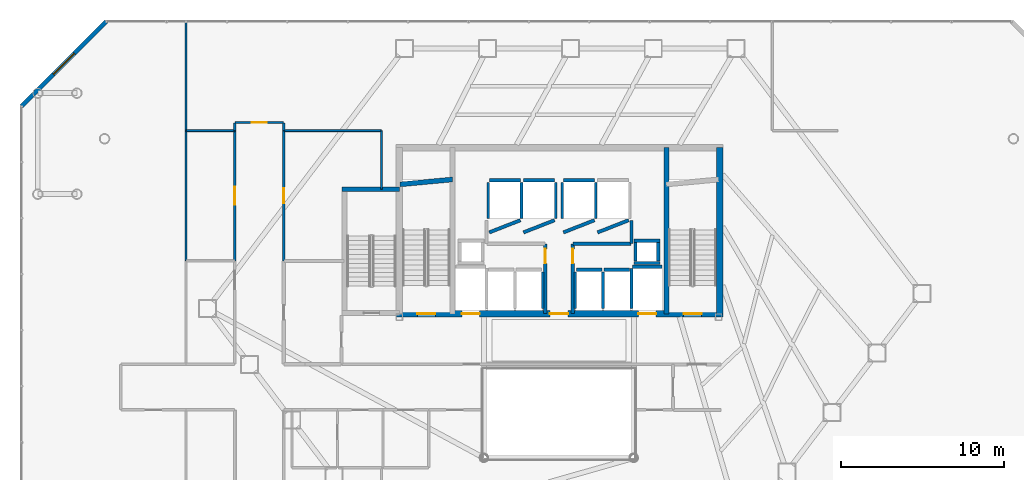
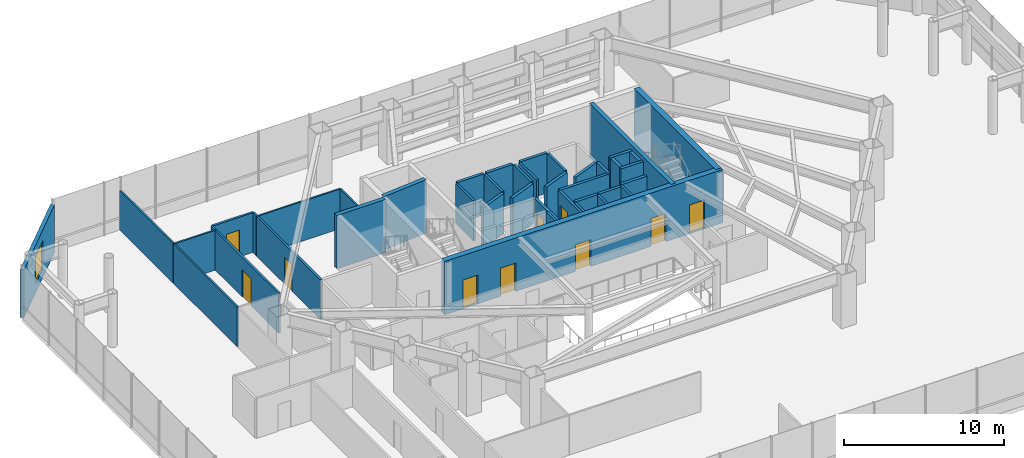
# One storey, part 31 of 33: 43 walls, 10 doors, 1 window, 11 openings.
"""IFC4 building model written with IfcOpenShell, lengths in metres."""

from ifc_helpers import new_model, si_unit, direction, frame, frame_2d, origin, place, context, subcontext, project, spatial, rectangle, extrude, material, layer, layer_set, type_object, element, fill, save


model = new_model("IFC4")

# Units and contexts
model_context = context("Model", 3, precision=1e-05, world=origin(), true_north=direction((0.0, 1.0)))
body_context = subcontext(model_context, "Body", "Model", "MODEL_VIEW")
ifc_project = project(units=[si_unit("LENGTHUNIT", "METRE"), si_unit("AREAUNIT", "SQUARE_METRE"), si_unit("VOLUMEUNIT", "CUBIC_METRE"), si_unit("PLANEANGLEUNIT", "RADIAN"), si_unit("MASSUNIT", "GRAM", prefix="KILO")], contexts=[model_context])

# Site, building, storey
site_placement = place(None, origin())
site = spatial("IfcSite", under=ifc_project, at=site_placement, CompositionType="ELEMENT")
building_placement = place(site_placement, origin())
building = spatial("IfcBuilding", under=site, at=building_placement, Name="Zarrinselat Tower", CompositionType="ELEMENT")
storey_placement = place(building_placement, frame((0.0, 0.0, 18.360107421875)))
storey = spatial("IfcBuildingStorey", under=building, at=storey_placement, Name="L04", CompositionType="ELEMENT", Elevation=18.360107421875)

# Wall, opening, window
ifc_material_1 = material(Name="Honed Cream Travertine Stone", Category="masonry")
ifc_layer_1 = layer(ifc_material_1, 0.260009765625)
ifc_layer_set_1 = layer_set([ifc_layer_1], Name="Honed Cream Travertine Stone")
wall_type_1 = type_object("IfcWallType", Name="WAL-EXT-STONE-260", PredefinedType="STANDARD", material=ifc_layer_set_1)
wall_1_placement = place(storey_placement, frame((5.39990234375, 46.0, 0.0), z_axis=(0.0, 0.0, 1.0), x_axis=(0.707123380132, 0.707090181851, 0.0)))
wall_1 = element("IfcWall", 1, at=wall_1_placement, inside=storey, type_object=wall_type_1, Name="L04 Chamfered Stone Corner Wall 5", PredefinedType="STANDARD", context=body_context, shape_type="SweptSolid", body=[
    extrude(rectangle(XDim=7.35400390625, YDim=0.260009765625, at=frame_2d((3.677001953125, 0.0))), origin(), (0.0, 0.0, 1.0), 3.64990234375),
])
opening_1_placement = place(wall_1_placement, frame((2.777099609375, 0.0, 0.699951171875)))
opening_1 = element("IfcOpeningElement", 2, at=opening_1_placement, cuts=wall_1, Name="Opening WN-2", PredefinedType="OPENING", context=body_context, shape_type="SweptSolid", body=[
    extrude(rectangle(XDim=1.800048828125, YDim=2.10009765625, at=frame_2d((0.89990234375, 1.050048828125))), frame((0.0, 0.139892578125, 0.0), z_axis=(0.0, -1.0, 0.0), x_axis=(1.0, 0.0, 0.0)), (0.0, 0.0, 1.0), 0.280029296875),
])
ifc_material_2 = material(Name="Double Low-E Laminated Solar Glass", Category="glass")
window_type = type_object("IfcWindowType", Name="WIN-GALLERY-1800", PartitioningType="SINGLE_PANEL", PredefinedType="WINDOW", material=ifc_material_2)
window_placement = place(opening_1_placement, origin())
window = element("IfcWindow", 3, at=window_placement, inside=storey, type_object=window_type, Name="L04 Corner Gallery Window 5", OverallHeight=2.10009765625, OverallWidth=1.800048828125, PartitioningType="SINGLE_PANEL", PredefinedType="WINDOW", context=body_context, shape_type="SweptSolid", body=[
    extrude(rectangle(XDim=1.800048828125, YDim=2.10009765625, at=frame_2d((0.89990234375, 1.050048828125))), frame((0.0, 0.030029296875, 0.0), z_axis=(0.0, -1.0, 0.0), x_axis=(1.0, 0.0, 0.0)), (0.0, 0.0, 1.0), 0.06005859375),
])
fill(opening_1, window)

# Wall, opening, door
ifc_material_3 = material(Name="Fire-Rated Gypsum Board Partition", Category="gypsum")
ifc_layer_2 = layer(ifc_material_3, 0.14990234375)
ifc_layer_set_2 = layer_set([ifc_layer_2], Name="Fire-Rated Gypsum Board Partition")
wall_type_2 = type_object("IfcWallType", Name="WAL-PART-EI60", PredefinedType="PARTITIONING", material=ifc_layer_set_2)
wall_2_placement = place(storey_placement, frame((18.5, 36.5048828125, 0.0), z_axis=(0.0, 0.0, 1.0), x_axis=(0.0, 1.0, 0.0)))
wall_2 = element("IfcWall", 4, at=wall_2_placement, inside=storey, type_object=wall_type_2, Name="L04 Partition Wall 33", PredefinedType="PARTITIONING", context=body_context, shape_type="SweptSolid", body=[
    extrude(rectangle(XDim=7.990234375, YDim=0.14990234375, at=frame_2d((3.9951171875, 0.0))), origin(), (0.0, 0.0, 1.0), 3.02685546875),
])
opening_2_placement = place(wall_2_placement, frame((3.43505859375, 0.0, 0.0)))
opening_2 = element("IfcOpeningElement", 5, at=opening_2_placement, cuts=wall_2, Name="Opening ID-02", PredefinedType="OPENING", context=body_context, shape_type="SweptSolid", body=[
    extrude(rectangle(XDim=1.1201171875, YDim=2.050048828125, at=frame_2d((0.56005859375, 1.02490234375))), frame((0.0, 0.0849609375, 0.0), z_axis=(0.0, -1.0, 0.0), x_axis=(1.0, 0.0, 0.0)), (0.0, 0.0, 1.0), 0.169921875),
])
ifc_material_4 = material(Name="Steel S355J2", Category="steel")
door_type_1 = type_object("IfcDoorType", Name="DR-INT-FD60-W", OperationType="NOTDEFINED", PredefinedType="DOOR", material=ifc_material_4)
door_1_placement = place(opening_2_placement, origin())
door_1 = element("IfcDoor", 6, at=door_1_placement, inside=storey, type_object=door_type_1, Name="L04 Interior Door P33", OperationType="SINGLE_SWING_RIGHT", OverallHeight=2.050048828125, OverallWidth=1.1201171875, PredefinedType="DOOR", context=body_context, shape_type="SweptSolid", body=[
    extrude(rectangle(XDim=1.1201171875, YDim=2.050048828125, at=frame_2d((0.56005859375, 1.02490234375))), frame((0.0, 0.02490234375, 0.0), z_axis=(0.0, -1.0, 0.0), x_axis=(1.0, 0.0, 0.0)), (0.0, 0.0, 1.0), 0.050048828125),
])
fill(opening_2, door_1)

wall_3_placement = place(storey_placement, frame((21.5, 36.5048828125, 0.0), z_axis=(0.0, 0.0, 1.0), x_axis=(0.0, 1.0, 0.0)))
wall_3 = element("IfcWall", 7, at=wall_3_placement, inside=storey, type_object=wall_type_2, Name="L04 Partition Wall 34", PredefinedType="PARTITIONING", context=body_context, shape_type="SweptSolid", body=[
    extrude(rectangle(XDim=7.990234375, YDim=0.14990234375, at=frame_2d((3.9951171875, 0.0))), origin(), (0.0, 0.0, 1.0), 3.02685546875),
])
opening_3_placement = place(wall_3_placement, frame((3.52490234375, 0.0, 0.0)))
opening_3 = element("IfcOpeningElement", 8, at=opening_3_placement, cuts=wall_3, Name="Opening ID-04", PredefinedType="OPENING", context=body_context, shape_type="SweptSolid", body=[
    extrude(rectangle(XDim=0.93994140625, YDim=2.050048828125, at=frame_2d((0.469970703125, 1.02490234375))), frame((0.0, 0.0849609375, 0.0), z_axis=(0.0, -1.0, 0.0), x_axis=(1.0, 0.0, 0.0)), (0.0, 0.0, 1.0), 0.169921875),
])
ifc_material_5 = material(Name="Fire-Rated Gypsum Board Partition")
door_type_2 = type_object("IfcDoorType", Name="DR-INT-FD30-ENT", OperationType="NOTDEFINED", PredefinedType="DOOR", material=ifc_material_5)
door_2_placement = place(opening_3_placement, origin())
door_2 = element("IfcDoor", 9, at=door_2_placement, inside=storey, type_object=door_type_2, Name="L04 Interior Door P34", OperationType="SINGLE_SWING_LEFT", OverallHeight=2.050048828125, OverallWidth=0.93994140625, PredefinedType="DOOR", context=body_context, shape_type="SweptSolid", body=[
    extrude(rectangle(XDim=0.93994140625, YDim=2.050048828125, at=frame_2d((0.469970703125, 1.02490234375))), frame((0.0, 0.02490234375, 0.0), z_axis=(0.0, -1.0, 0.0), x_axis=(1.0, 0.0, 0.0)), (0.0, 0.0, 1.0), 0.050048828125),
])
fill(opening_3, door_2)

# Wall
wall_4_placement = place(storey_placement, frame((18.5, 44.5048828125, 0.0), z_axis=(0.0, 0.0, 1.0), x_axis=(0.0, 1.0, 0.0)))
element("IfcWall", 10, at=wall_4_placement, inside=storey, type_object=wall_type_2, Name="L04 Partition Wall 35", PredefinedType="PARTITIONING", context=body_context, shape_type="SweptSolid", body=[
    extrude(rectangle(XDim=0.47509765625, YDim=0.14990234375, at=frame_2d((0.237548828125, 0.0))), origin(), (0.0, 0.0, 1.0), 3.02685546875),
])

# Wall, opening, door
wall_5_placement = place(storey_placement, frame((18.52001953125, 45.0, 0.0), z_axis=(0.0, 0.0, 1.0), x_axis=(1.0, 0.0, 0.0)))
wall_5 = element("IfcWall", 11, at=wall_5_placement, inside=storey, type_object=wall_type_2, Name="L04 Partition Wall 36", PredefinedType="PARTITIONING", context=body_context, shape_type="SweptSolid", body=[
    extrude(rectangle(XDim=2.9599609375, YDim=0.14990234375, at=frame_2d((1.47998046875, 0.0))), origin(), (0.0, 0.0, 1.0), 3.02685546875),
])
opening_4_placement = place(wall_5_placement, frame((1.010009765625, 0.0, 0.0)))
opening_4 = element("IfcOpeningElement", 12, at=opening_4_placement, cuts=wall_5, Name="Opening ID-04", PredefinedType="OPENING", context=body_context, shape_type="SweptSolid", body=[
    extrude(rectangle(XDim=0.93994140625, YDim=2.050048828125, at=frame_2d((0.469970703125, 1.02490234375))), frame((0.0, 0.0849609375, 0.0), z_axis=(0.0, -1.0, 0.0), x_axis=(1.0, 0.0, 0.0)), (0.0, 0.0, 1.0), 0.169921875),
])
door_3_placement = place(opening_4_placement, origin())
door_3 = element("IfcDoor", 13, at=door_3_placement, inside=storey, type_object=door_type_2, Name="L04 Interior Door P36", OperationType="SINGLE_SWING_RIGHT", OverallHeight=2.050048828125, OverallWidth=0.93994140625, PredefinedType="DOOR", context=body_context, shape_type="SweptSolid", body=[
    extrude(rectangle(XDim=0.93994140625, YDim=2.050048828125, at=frame_2d((0.469970703125, 1.02490234375))), frame((0.0, 0.02490234375, 0.0), z_axis=(0.0, -1.0, 0.0), x_axis=(1.0, 0.0, 0.0)), (0.0, 0.0, 1.0), 0.050048828125),
])
fill(opening_4, door_3)

# Walls
wall_6_placement = place(storey_placement, frame((21.5, 44.5048828125, 0.0), z_axis=(0.0, 0.0, 1.0), x_axis=(0.0, 1.0, 0.0)))
element("IfcWall", 14, at=wall_6_placement, inside=storey, type_object=wall_type_2, Name="L04 Partition Wall 37", PredefinedType="PARTITIONING", context=body_context, shape_type="SweptSolid", body=[
    extrude(rectangle(XDim=0.47509765625, YDim=0.14990234375, at=frame_2d((0.237548828125, 0.0))), origin(), (0.0, 0.0, 1.0), 3.02685546875),
])
ifc_material_6 = material(Name="Extruded Aluminium Alloy EN AW-6063 T6", Category="aluminium")
ifc_layer_3 = layer(ifc_material_6, 0.114990234375)
ifc_layer_set_3 = layer_set([ifc_layer_3], Name="Extruded Aluminium Alloy EN AW-6063 T6")
wall_type_3 = type_object("IfcWallType", Name="WAL-PART-MOV", PredefinedType="MOVABLE", material=ifc_layer_set_3)
wall_7_placement = place(storey_placement, frame((21.52001953125, 44.5, 0.0), z_axis=(0.0, 0.0, 1.0), x_axis=(1.0, 0.0, 0.0)))
element("IfcWall", 15, at=wall_7_placement, inside=storey, type_object=wall_type_3, Name="L04 Partition Wall 60", PredefinedType="MOVABLE", context=body_context, shape_type="SweptSolid", body=[
    extrude(rectangle(XDim=5.9599609375, YDim=0.114990234375, at=frame_2d((2.97998046875, 0.0))), origin(), (0.0, 0.0, 1.0), 3.02685546875),
])
wall_8_placement = place(storey_placement, frame((27.5, 40.9150390625, 0.0), z_axis=(0.0, 0.0, 1.0), x_axis=(0.0, 1.0, 0.0)))
element("IfcWall", 16, at=wall_8_placement, inside=storey, type_object=wall_type_3, Name="L04 Partition Wall 61", PredefinedType="MOVABLE", context=body_context, shape_type="SweptSolid", body=[
    extrude(rectangle(XDim=3.56494140625, YDim=0.114990234375, at=frame_2d((1.782470703125, 0.0))), origin(), (0.0, 0.0, 1.0), 3.02685546875),
])

# Wall, opening, door
ifc_material_7 = material(Name="Concrete C40/50", Category="concrete")
ifc_layer_4 = layer(ifc_material_7, 0.199951171875)
ifc_layer_set_4 = layer_set([ifc_layer_4], Name="Concrete C40/50")
wall_type_4 = type_object("IfcWallType", Name="WAL-PART-PLANT", PredefinedType="PARTITIONING", material=ifc_layer_set_4)
wall_9_placement = place(storey_placement, frame((37.550048828125, 33.264892578125, 0.0), z_axis=(0.0, 0.0, 1.0), x_axis=(0.0, 1.0, 0.0)))
wall_9 = element("IfcWall", 17, at=wall_9_placement, inside=storey, type_object=wall_type_4, Name="L04 Partition Wall 1", PredefinedType="PARTITIONING", context=body_context, shape_type="SweptSolid", body=[
    extrude(rectangle(XDim=4.26513671875, YDim=0.199951171875, at=frame_2d((2.132568359375, 0.0))), origin(), (0.0, 0.0, 1.0), 3.02685546875),
])
opening_5_placement = place(wall_9_placement, frame((3.092529296875, 0.0, 0.0)))
opening_5 = element("IfcOpeningElement", 18, at=opening_5_placement, cuts=wall_9, Name="Opening ID-03", PredefinedType="OPENING", context=body_context, shape_type="SweptSolid", body=[
    extrude(rectangle(XDim=0.8798828125, YDim=2.050048828125, at=frame_2d((0.43994140625, 1.02490234375))), frame((0.0, 0.10986328125, 0.0), z_axis=(0.0, -1.0, 0.0), x_axis=(1.0, 0.0, 0.0)), (0.0, 0.0, 1.0), 0.219970703125),
])
ifc_material_8 = material(Name="Steel S355J2", Category="steel")
door_type_3 = type_object("IfcDoorType", Name="DR-INT-FD60-S", OperationType="NOTDEFINED", PredefinedType="DOOR", material=ifc_material_8)
door_4_placement = place(opening_5_placement, origin())
door_4 = element("IfcDoor", 19, at=door_4_placement, inside=storey, type_object=door_type_3, Name="L04 Interior Door P1", OperationType="SINGLE_SWING_RIGHT", OverallHeight=2.050048828125, OverallWidth=0.8798828125, PredefinedType="DOOR", context=body_context, shape_type="SweptSolid", body=[
    extrude(rectangle(XDim=0.8798828125, YDim=2.050048828125, at=frame_2d((0.43994140625, 1.02490234375))), frame((0.0, 0.02490234375, 0.0), z_axis=(0.0, -1.0, 0.0), x_axis=(1.0, 0.0, 0.0)), (0.0, 0.0, 1.0), 0.050048828125),
])
fill(opening_5, door_4)

# Walls
wall_10_placement = place(storey_placement, frame((42.85009765625, 37.570068359375, 0.0), z_axis=(0.0, 0.0, 1.0), x_axis=(0.0, 1.0, 0.0)))
element("IfcWall", 20, at=wall_10_placement, inside=storey, type_object=wall_type_4, Name="L04 Partition Wall 4", PredefinedType="PARTITIONING", context=body_context, shape_type="SweptSolid", body=[
    extrude(rectangle(XDim=1.4150390625, YDim=0.199951171875, at=frame_2d((0.70751953125, 0.0))), origin(), (0.0, 0.0, 1.0), 3.02685546875),
])
wall_11_placement = place(storey_placement, frame((39.27001953125, 37.550048828125, 0.0), z_axis=(0.0, 0.0, 1.0), x_axis=(1.0, 0.0, 0.0)))
element("IfcWall", 21, at=wall_11_placement, inside=storey, type_object=wall_type_4, Name="L04 Partition Wall 5", PredefinedType="PARTITIONING", context=body_context, shape_type="SweptSolid", body=[
    extrude(rectangle(XDim=3.56005859375, YDim=0.199951171875, at=frame_2d((1.780029296875, 0.0))), origin(), (0.0, 0.0, 1.0), 3.02685546875),
])

# Wall, opening, door
wall_12_placement = place(storey_placement, frame((39.25, 33.264892578125, 0.0), z_axis=(0.0, 0.0, 1.0), x_axis=(0.0, 1.0, 0.0)))
wall_12 = element("IfcWall", 22, at=wall_12_placement, inside=storey, type_object=wall_type_4, Name="L04 Partition Wall 6", PredefinedType="PARTITIONING", context=body_context, shape_type="SweptSolid", body=[
    extrude(rectangle(XDim=4.26513671875, YDim=0.199951171875, at=frame_2d((2.132568359375, 0.0))), origin(), (0.0, 0.0, 1.0), 3.02685546875),
])
opening_6_placement = place(wall_12_placement, frame((3.092529296875, 0.0, 0.0)))
opening_6 = element("IfcOpeningElement", 23, at=opening_6_placement, cuts=wall_12, Name="Opening ID-03", PredefinedType="OPENING", context=body_context, shape_type="SweptSolid", body=[
    extrude(rectangle(XDim=0.8798828125, YDim=2.050048828125, at=frame_2d((0.43994140625, 1.02490234375))), frame((0.0, 0.10986328125, 0.0), z_axis=(0.0, -1.0, 0.0), x_axis=(1.0, 0.0, 0.0)), (0.0, 0.0, 1.0), 0.219970703125),
])
door_5_placement = place(opening_6_placement, origin())
door_5 = element("IfcDoor", 24, at=door_5_placement, inside=storey, type_object=door_type_3, Name="L04 Interior Door P6", OperationType="SINGLE_SWING_LEFT", OverallHeight=2.050048828125, OverallWidth=0.8798828125, PredefinedType="DOOR", context=body_context, shape_type="SweptSolid", body=[
    extrude(rectangle(XDim=0.8798828125, YDim=2.050048828125, at=frame_2d((0.43994140625, 1.02490234375))), frame((0.0, 0.02490234375, 0.0), z_axis=(0.0, -1.0, 0.0), x_axis=(1.0, 0.0, 0.0)), (0.0, 0.0, 1.0), 0.050048828125),
])
fill(opening_6, door_5)

# Walls
ifc_material_9 = material(Name="Fire-Rated Gypsum Board Partition", Category="gypsum")
ifc_layer_5 = layer(ifc_material_9, 0.1201171875)
ifc_layer_set_5 = layer_set([ifc_layer_5], Name="Fire-Rated Gypsum Board Partition")
wall_type_5 = type_object("IfcWallType", Name="WAL-PART-STD", PredefinedType="PARTITIONING", material=ifc_layer_set_5)
wall_13_placement = place(storey_placement, frame((15.5, 36.52001953125, 0.0), z_axis=(0.0, 0.0, 1.0), x_axis=(0.0, 1.0, 0.0)))
element("IfcWall", 25, at=wall_13_placement, inside=storey, type_object=wall_type_5, Name="L04 Partition Wall 55", PredefinedType="PARTITIONING", context=body_context, shape_type="SweptSolid", body=[
    extrude(rectangle(XDim=7.9599609375, YDim=0.1201171875, at=frame_2d((3.97998046875, 0.0))), origin(), (0.0, 0.0, 1.0), 3.02685546875),
])
wall_14_placement = place(storey_placement, frame((15.5, 44.52001953125, 0.0), z_axis=(0.0, 0.0, 1.0), x_axis=(0.0, 1.0, 0.0)))
element("IfcWall", 26, at=wall_14_placement, inside=storey, type_object=wall_type_5, Name="L04 Partition Wall 56", PredefinedType="PARTITIONING", context=body_context, shape_type="SweptSolid", body=[
    extrude(rectangle(XDim=6.6650390625, YDim=0.1201171875, at=frame_2d((3.33251953125, 0.0))), origin(), (0.0, 0.0, 1.0), 3.02685546875),
])
wall_15_placement = place(storey_placement, frame((15.52001953125, 44.5, 0.0), z_axis=(0.0, 0.0, 1.0), x_axis=(1.0, 0.0, 0.0)))
element("IfcWall", 27, at=wall_15_placement, inside=storey, type_object=wall_type_5, Name="L04 Partition Wall 59", PredefinedType="PARTITIONING", context=body_context, shape_type="SweptSolid", body=[
    extrude(rectangle(XDim=2.9599609375, YDim=0.1201171875, at=frame_2d((1.47998046875, 0.0))), origin(), (0.0, 0.0, 1.0), 3.02685546875),
])
ifc_material_10 = material(Name="Concrete C40/50", Category="concrete")
ifc_layer_6 = layer(ifc_material_10, 0.2099609375)
ifc_layer_set_6 = layer_set([ifc_layer_6], Name="Concrete C40/50")
wall_type_6 = type_object("IfcWallType", Name="WAL-SHAFT-210", PredefinedType="SOLIDWALL", material=ifc_layer_set_6)
wall_16_placement = place(storey_placement, frame((42.919921875, 36.155029296875, 0.0), z_axis=(0.0, 0.0, 1.0), x_axis=(1.0, 0.0, 0.0)))
element("IfcWall", 28, at=wall_16_placement, inside=storey, type_object=wall_type_6, Name="L04 Lift FFL2 North Shaft Wall", PredefinedType="SOLIDWALL", context=body_context, shape_type="SweptSolid", body=[
    extrude(rectangle(XDim=1.800048828125, YDim=0.2099609375, at=frame_2d((0.89990234375, 0.0))), origin(), (0.0, 0.0, 1.0), 3.0419921875),
])
wall_17_placement = place(storey_placement, frame((42.85009765625, 33.580078125, 0.0), z_axis=(0.0, 0.0, 1.0), x_axis=(0.0, 1.0, 0.0)))
element("IfcWall", 29, at=wall_17_placement, inside=storey, type_object=wall_type_6, Name="L04 Lift FFL2 W Shaft Wall", PredefinedType="SOLIDWALL", context=body_context, shape_type="SweptSolid", body=[
    extrude(rectangle(XDim=2.449951171875, YDim=0.159912109375, at=frame_2d((1.22509765625, 0.0))), origin(), (0.0, 0.0, 1.0), 3.0419921875),
])
wall_18_placement = place(storey_placement, frame((34.1201171875, 38.25, 0.0), z_axis=(0.0, 0.0, 1.0), x_axis=(0.930804993012, 0.36551616241, 0.0)))
element("IfcWall", 30, at=wall_18_placement, inside=storey, type_object=wall_type_6, Name="L04 Lift PL1 Front Shaft Wall", PredefinedType="SOLIDWALL", context=body_context, shape_type="SweptSolid", body=[
    extrude(rectangle(XDim=2.052001953125, YDim=0.2099609375, at=frame_2d((1.02587890625, 0.0))), origin(), (0.0, 0.0, 1.0), 3.0419921875),
])
wall_19_placement = place(storey_placement, frame((34.1201171875, 41.455078125, 0.0), z_axis=(0.0, 0.0, 1.0), x_axis=(1.0, 0.0, 0.0)))
element("IfcWall", 31, at=wall_19_placement, inside=storey, type_object=wall_type_6, Name="L04 Lift PL1 Rear Shaft Wall", PredefinedType="SOLIDWALL", context=body_context, shape_type="SweptSolid", body=[
    extrude(rectangle(XDim=1.909912109375, YDim=0.2099609375, at=frame_2d((0.955078125, 0.0))), origin(), (0.0, 0.0, 1.0), 3.0419921875),
])
for number, where, z_axis, x_axis, name in (
    (32, (34.050048828125, 39.1201171875, 0.0), (0.0, 0.0, 1.0), (0.0, 1.0, 0.0), "L04 Lift PL1 W Shaft Wall"),
    (33, (36.10009765625, 39.1201171875, 0.0), (0.0, 0.0, 1.0), (0.0, 1.0, 0.0), "L04 Lift PL1 E Shaft Wall"),
):
    element("IfcWall", number, at=place(storey_placement, frame(where, z_axis=z_axis, x_axis=x_axis)), inside=storey, type_object=wall_type_6, Name=name, PredefinedType="SOLIDWALL", context=body_context, shape_type="SweptSolid", body=[
        extrude(rectangle(XDim=2.2099609375, YDim=0.159912109375, at=frame_2d((1.10498046875, 0.0))), origin(), (0.0, 0.0, 1.0), 3.0419921875),
    ])
wall_20_placement = place(storey_placement, frame((36.219970703125, 38.25, 0.0), z_axis=(0.0, 0.0, 1.0), x_axis=(0.930804993012, 0.36551616241, 0.0)))
element("IfcWall", 34, at=wall_20_placement, inside=storey, type_object=wall_type_6, Name="L04 Lift PL2 Front Shaft Wall", PredefinedType="SOLIDWALL", context=body_context, shape_type="SweptSolid", body=[
    extrude(rectangle(XDim=2.052001953125, YDim=0.2099609375, at=frame_2d((1.02587890625, 0.0))), origin(), (0.0, 0.0, 1.0), 3.0419921875),
])
wall_21_placement = place(storey_placement, frame((36.219970703125, 41.455078125, 0.0), z_axis=(0.0, 0.0, 1.0), x_axis=(1.0, 0.0, 0.0)))
element("IfcWall", 35, at=wall_21_placement, inside=storey, type_object=wall_type_6, Name="L04 Lift PL2 Rear Shaft Wall", PredefinedType="SOLIDWALL", context=body_context, shape_type="SweptSolid", body=[
    extrude(rectangle(XDim=1.909912109375, YDim=0.2099609375, at=frame_2d((0.955078125, 0.0))), origin(), (0.0, 0.0, 1.0), 3.0419921875),
])
wall_22_placement = place(storey_placement, frame((38.199951171875, 39.1201171875, 0.0), z_axis=(0.0, 0.0, 1.0), x_axis=(0.0, 1.0, 0.0)))
element("IfcWall", 36, at=wall_22_placement, inside=storey, type_object=wall_type_6, Name="L04 Lift PL2 E Shaft Wall", PredefinedType="SOLIDWALL", context=body_context, shape_type="SweptSolid", body=[
    extrude(rectangle(XDim=2.2099609375, YDim=0.159912109375, at=frame_2d((1.10498046875, 0.0))), origin(), (0.0, 0.0, 1.0), 3.0419921875),
])
wall_23_placement = place(storey_placement, frame((38.669921875, 38.25, 0.0), z_axis=(0.0, 0.0, 1.0), x_axis=(0.930820886763, 0.3654756856, 0.0)))
element("IfcWall", 37, at=wall_23_placement, inside=storey, type_object=wall_type_6, Name="L04 Lift PL3 Front Shaft Wall", PredefinedType="SOLIDWALL", context=body_context, shape_type="SweptSolid", body=[
    extrude(rectangle(XDim=2.052001953125, YDim=0.2099609375, at=frame_2d((1.02587890625, 0.0))), origin(), (0.0, 0.0, 1.0), 3.0419921875),
])
wall_24_placement = place(storey_placement, frame((38.669921875, 41.455078125, 0.0), z_axis=(0.0, 0.0, 1.0), x_axis=(1.0, 0.0, 0.0)))
element("IfcWall", 38, at=wall_24_placement, inside=storey, type_object=wall_type_6, Name="L04 Lift PL3 Rear Shaft Wall", PredefinedType="SOLIDWALL", context=body_context, shape_type="SweptSolid", body=[
    extrude(rectangle(XDim=1.91015625, YDim=0.2099609375, at=frame_2d((0.955078125, 0.0))), origin(), (0.0, 0.0, 1.0), 3.0419921875),
])
for number, where, z_axis, x_axis, name in (
    (39, (38.60009765625, 39.1201171875, 0.0), (0.0, 0.0, 1.0), (0.0, 1.0, 0.0), "L04 Lift PL3 W Shaft Wall"),
    (40, (40.64990234375, 39.1201171875, 0.0), (0.0, 0.0, 1.0), (0.0, 1.0, 0.0), "L04 Lift PL3 E Shaft Wall"),
):
    element("IfcWall", number, at=place(storey_placement, frame(where, z_axis=z_axis, x_axis=x_axis)), inside=storey, type_object=wall_type_6, Name=name, PredefinedType="SOLIDWALL", context=body_context, shape_type="SweptSolid", body=[
        extrude(rectangle(XDim=2.2099609375, YDim=0.159912109375, at=frame_2d((1.10498046875, 0.0))), origin(), (0.0, 0.0, 1.0), 3.0419921875),
    ])
wall_25_placement = place(storey_placement, frame((40.77001953125, 38.25, 0.0), z_axis=(0.0, 0.0, 1.0), x_axis=(0.930804993012, 0.36551616241, 0.0)))
element("IfcWall", 41, at=wall_25_placement, inside=storey, type_object=wall_type_6, Name="L04 Lift PL4 Front Shaft Wall", PredefinedType="SOLIDWALL", context=body_context, shape_type="SweptSolid", body=[
    extrude(rectangle(XDim=2.052001953125, YDim=0.2099609375, at=frame_2d((1.02587890625, 0.0))), origin(), (0.0, 0.0, 1.0), 3.0419921875),
])
wall_26_placement = place(storey_placement, frame((37.39990234375, 33.580078125, 0.0), z_axis=(0.0, 0.0, 1.0), x_axis=(0.0, 1.0, 0.0)))
element("IfcWall", 42, at=wall_26_placement, inside=storey, type_object=wall_type_6, Name="L04 Lift PL6 E Shaft Wall", PredefinedType="SOLIDWALL", context=body_context, shape_type="SweptSolid", body=[
    extrude(rectangle(XDim=2.25, YDim=0.159912109375, at=frame_2d((1.125, 0.0))), origin(), (0.0, 0.0, 1.0), 3.0419921875),
])
wall_27_placement = place(storey_placement, frame((39.469970703125, 35.955078125, 0.0), z_axis=(0.0, 0.0, 1.0), x_axis=(1.0, 0.0, 0.0)))
element("IfcWall", 43, at=wall_27_placement, inside=storey, type_object=wall_type_6, Name="L04 Lift PL8 North Shaft Wall", PredefinedType="SOLIDWALL", context=body_context, shape_type="SweptSolid", body=[
    extrude(rectangle(XDim=1.56005859375, YDim=0.2099609375, at=frame_2d((0.780029296875, 0.0))), origin(), (0.0, 0.0, 1.0), 3.0419921875),
])
for number, where, z_axis, x_axis, name in (
    (44, (39.39990234375, 33.580078125, 0.0), (0.0, 0.0, 1.0), (0.0, 1.0, 0.0), "L04 Lift PL8 W Shaft Wall"),
    (45, (41.10009765625, 33.580078125, 0.0), (0.0, 0.0, 1.0), (0.0, 1.0, 0.0), "L04 Lift PL8 E Shaft Wall"),
):
    element("IfcWall", number, at=place(storey_placement, frame(where, z_axis=z_axis, x_axis=x_axis)), inside=storey, type_object=wall_type_6, Name=name, PredefinedType="SOLIDWALL", context=body_context, shape_type="SweptSolid", body=[
        extrude(rectangle(XDim=2.25, YDim=0.159912109375, at=frame_2d((1.125, 0.0))), origin(), (0.0, 0.0, 1.0), 3.0419921875),
    ])
wall_28_placement = place(storey_placement, frame((41.169921875, 35.955078125, 0.0), z_axis=(0.0, 0.0, 1.0), x_axis=(1.0, 0.0, 0.0)))
element("IfcWall", 46, at=wall_28_placement, inside=storey, type_object=wall_type_6, Name="L04 Lift PL9 North Shaft Wall", PredefinedType="SOLIDWALL", context=body_context, shape_type="SweptSolid", body=[
    extrude(rectangle(XDim=1.56005859375, YDim=0.2099609375, at=frame_2d((0.780029296875, 0.0))), origin(), (0.0, 0.0, 1.0), 3.0419921875),
])
for number, where, z_axis, x_axis, name in (
    (47, (42.989990234375, 36.375, 0.0), (0.0, 0.0, 1.0), (1.0, 0.0, 0.0), "L04 Core Riser RSR-E S Shaft Wall"),
    (48, (42.989990234375, 37.7451171875, 0.0), (0.0, 0.0, 1.0), (1.0, 0.0, 0.0), "L04 Core Riser RSR-E N Shaft Wall"),
):
    element("IfcWall", number, at=place(storey_placement, frame(where, z_axis=z_axis, x_axis=x_axis)), inside=storey, type_object=wall_type_6, Name=name, PredefinedType="SOLIDWALL", context=body_context, shape_type="SweptSolid", body=[
        extrude(rectangle(XDim=1.60009765625, YDim=0.2099609375, at=frame_2d((0.800048828125, 0.0))), origin(), (0.0, 0.0, 1.0), 4.06982421875),
    ])
for number, where, z_axis, x_axis, name in (
    (49, (43.094970703125, 36.485107421875, 0.0), (0.0, 0.0, 1.0), (0.0, 1.0, 0.0), "L04 Core Riser RSR-E W Shaft Wall"),
    (50, (44.485107421875, 36.485107421875, 0.0), (0.0, 0.0, 1.0), (0.0, 1.0, 0.0), "L04 Core Riser RSR-E E Shaft Wall"),
):
    element("IfcWall", number, at=place(storey_placement, frame(where, z_axis=z_axis, x_axis=x_axis)), inside=storey, type_object=wall_type_6, Name=name, PredefinedType="SOLIDWALL", context=body_context, shape_type="SweptSolid", body=[
        extrude(rectangle(XDim=1.14990234375, YDim=0.2099609375, at=frame_2d((0.574951171875, 0.0))), origin(), (0.0, 0.0, 1.0), 4.06982421875),
    ])
ifc_material_11 = material(Name="Concrete C40/50", Category="concrete")
ifc_layer_7 = layer(ifc_material_11, 0.300048828125)
ifc_layer_set_7 = layer_set([ifc_layer_7], Name="Concrete C40/50")
wall_type_7 = type_object("IfcWallType", Name="WAL-SHEAR-300", PredefinedType="SHEAR", material=ifc_layer_set_7)
wall_29_placement = place(storey_placement, frame((44.989990234375, 33.25, 0.0), z_axis=(0.0, 0.0, 1.0), x_axis=(0.0, 1.0, 0.0)))
element("IfcWall", 51, at=wall_29_placement, inside=storey, type_object=wall_type_7, Name="L04 Core Shear Wall ST2W", PredefinedType="SHEAR", context=body_context, shape_type="SweptSolid", body=[
    extrude(rectangle(XDim=10.199951171875, YDim=0.300048828125, at=frame_2d((5.10009765625, 0.0))), origin(), (0.0, 0.0, 1.0), 4.06982421875),
])
wall_30_placement = place(storey_placement, frame((28.639892578125, 41.199951171875, 0.0), z_axis=(0.0, 0.0, 1.0), x_axis=(0.995687118776, 0.092774789157, 0.0)))
element("IfcWall", 52, at=wall_30_placement, inside=storey, type_object=wall_type_7, Name="L04 Stair 1 North Shaft Wall", PredefinedType="SHEAR", context=body_context, shape_type="SweptSolid", body=[
    extrude(rectangle(XDim=3.234130859375, YDim=0.300048828125, at=frame_2d((1.6171875, 0.0))), origin(), (0.0, 0.0, 1.0), 4.06982421875),
])
wall_31_placement = place(storey_placement, frame((25.080078125, 40.89990234375, 0.0), z_axis=(0.0, 0.0, 1.0), x_axis=(1.0, 0.0, 0.0)))
element("IfcWall", 53, at=wall_31_placement, inside=storey, type_object=wall_type_7, Name="L04 Stair 3 North Shear Wall", PredefinedType="SHEAR", context=body_context, shape_type="SweptSolid", body=[
    extrude(rectangle(XDim=3.52001953125, YDim=0.300048828125, at=frame_2d((1.760009765625, 0.0))), origin(), (0.0, 0.0, 1.0), 4.06982421875),
])

# Wall, openings, doors
ifc_material_12 = material(Name="Concrete C60/75", Category="concrete")
ifc_layer_8 = layer(ifc_material_12, 0.39990234375)
ifc_layer_set_8 = layer_set([ifc_layer_8], Name="Concrete C60/75")
wall_type_8 = type_object("IfcWallType", Name="WAL-SHEAR-400", PredefinedType="SHEAR", material=ifc_layer_set_8)
wall_32_placement = place(storey_placement, frame((28.39990234375, 33.25, 0.0), z_axis=(0.0, 0.0, 1.0), x_axis=(1.0, 0.0, 0.0)))
wall_32 = element("IfcWall", 54, at=wall_32_placement, inside=storey, type_object=wall_type_8, Name="L04 South Core Shear Wall", PredefinedType="SHEAR", context=body_context, shape_type="SweptSolid", body=[
    extrude(rectangle(XDim=20.06005859375, YDim=0.39990234375, at=frame_2d((10.030029296875, 0.0))), origin(), (0.0, 0.0, 1.0), 4.06982421875),
])
opening_7_placement = place(wall_32_placement, frame((4.030029296875, 0.0, 0.0)))
opening_7 = element("IfcOpeningElement", 55, at=opening_7_placement, cuts=wall_32, Name="Opening LD-FFL1", PredefinedType="OPENING", context=body_context, shape_type="SweptSolid", body=[
    extrude(rectangle(XDim=1.10009765625, YDim=2.14990234375, at=frame_2d((0.550048828125, 1.074951171875))), frame((0.0, 0.2099609375, 0.0), z_axis=(0.0, -1.0, 0.0), x_axis=(1.0, 0.0, 0.0)), (0.0, 0.0, 1.0), 0.419921875),
])
opening_8_placement = place(wall_32_placement, frame((14.8701171875, 0.0, 0.0)))
opening_8 = element("IfcOpeningElement", 56, at=opening_8_placement, cuts=wall_32, Name="Opening LD-FFL2", PredefinedType="OPENING", context=body_context, shape_type="SweptSolid", body=[
    extrude(rectangle(XDim=1.10009765625, YDim=2.14990234375, at=frame_2d((0.550048828125, 1.074951171875))), frame((0.0, 0.2099609375, 0.0), z_axis=(0.0, -1.0, 0.0), x_axis=(1.0, 0.0, 0.0)), (0.0, 0.0, 1.0), 0.419921875),
])
opening_9_placement = place(wall_32_placement, frame((1.31005859375, 0.0, 0.0)))
opening_9 = element("IfcOpeningElement", 57, at=opening_9_placement, cuts=wall_32, Name="Opening SD-01", PredefinedType="OPENING", context=body_context, shape_type="SweptSolid", body=[
    extrude(rectangle(XDim=1.10009765625, YDim=2.199951171875, at=frame_2d((0.550048828125, 1.10009765625))), frame((0.0, 0.2099609375, 0.0), z_axis=(0.0, -1.0, 0.0), x_axis=(1.0, 0.0, 0.0)), (0.0, 0.0, 1.0), 0.419921875),
])
opening_10_placement = place(wall_32_placement, frame((9.43994140625, 0.0, 0.0)))
opening_10 = element("IfcOpeningElement", 58, at=opening_10_placement, cuts=wall_32, Name="Opening ID-02", PredefinedType="OPENING", context=body_context, shape_type="SweptSolid", body=[
    extrude(rectangle(XDim=1.1201171875, YDim=2.050048828125, at=frame_2d((0.56005859375, 1.02490234375))), frame((0.0, 0.2099609375, 0.0), z_axis=(0.0, -1.0, 0.0), x_axis=(1.0, 0.0, 0.0)), (0.0, 0.0, 1.0), 0.419921875),
])
opening_11_placement = place(wall_32_placement, frame((17.64990234375, 0.0, 0.0)))
opening_11 = element("IfcOpeningElement", 59, at=opening_11_placement, cuts=wall_32, Name="Opening SD-01", PredefinedType="OPENING", context=body_context, shape_type="SweptSolid", body=[
    extrude(rectangle(XDim=1.10009765625, YDim=2.199951171875, at=frame_2d((0.550048828125, 1.10009765625))), frame((0.0, 0.2099609375, 0.0), z_axis=(0.0, -1.0, 0.0), x_axis=(1.0, 0.0, 0.0)), (0.0, 0.0, 1.0), 0.419921875),
])
door_6_placement = place(opening_10_placement, origin())
door_6 = element("IfcDoor", 60, at=door_6_placement, inside=storey, type_object=door_type_1, Name="L04 Core Service Vestibule Fire Door", OperationType="SINGLE_SWING_RIGHT", OverallHeight=2.050048828125, OverallWidth=1.1201171875, PredefinedType="DOOR", context=body_context, shape_type="SweptSolid", body=[
    extrude(rectangle(XDim=1.1201171875, YDim=2.050048828125, at=frame_2d((0.56005859375, 1.02490234375))), frame((0.0, 0.02490234375, 0.0), z_axis=(0.0, -1.0, 0.0), x_axis=(1.0, 0.0, 0.0)), (0.0, 0.0, 1.0), 0.050048828125),
])
fill(opening_10, door_6)
ifc_material_13 = material(Name="Steel S355J2", Category="steel")
door_type_4 = type_object("IfcDoorType", Name="DR-LIFT-FF-1100", OperationType="NOTDEFINED", PredefinedType="DOOR", material=ifc_material_13)
door_7_placement = place(opening_7_placement, origin())
door_7 = element("IfcDoor", 61, at=door_7_placement, inside=storey, type_object=door_type_4, Name="L04 Lift FFL1 Sliding Landing Door", OperationType="SLIDING_TO_LEFT", OverallHeight=2.14990234375, OverallWidth=1.10009765625, PredefinedType="DOOR", context=body_context, shape_type="SweptSolid", body=[
    extrude(rectangle(XDim=1.10009765625, YDim=2.14990234375, at=frame_2d((0.550048828125, 1.074951171875))), frame((0.0, 0.02490234375, 0.0), z_axis=(0.0, -1.0, 0.0), x_axis=(1.0, 0.0, 0.0)), (0.0, 0.0, 1.0), 0.050048828125),
])
fill(opening_7, door_7)
door_8_placement = place(opening_8_placement, origin())
door_8 = element("IfcDoor", 62, at=door_8_placement, inside=storey, type_object=door_type_4, Name="L04 Lift FFL2 Sliding Landing Door", OperationType="SLIDING_TO_RIGHT", OverallHeight=2.14990234375, OverallWidth=1.10009765625, PredefinedType="DOOR", context=body_context, shape_type="SweptSolid", body=[
    extrude(rectangle(XDim=1.10009765625, YDim=2.14990234375, at=frame_2d((0.550048828125, 1.074951171875))), frame((0.0, 0.02490234375, 0.0), z_axis=(0.0, -1.0, 0.0), x_axis=(1.0, 0.0, 0.0)), (0.0, 0.0, 1.0), 0.050048828125),
])
fill(opening_8, door_8)
ifc_material_14 = material(Name="Steel S355J2", Category="steel")
door_type_5 = type_object("IfcDoorType", Name="DR-STAIR-1100", OperationType="NOTDEFINED", PredefinedType="DOOR", material=ifc_material_14)
door_9_placement = place(opening_9_placement, origin())
door_9 = element("IfcDoor", 63, at=door_9_placement, inside=storey, type_object=door_type_5, Name="L04 Exit Stair 1 Fire Door", OperationType="SINGLE_SWING_LEFT", OverallHeight=2.199951171875, OverallWidth=1.10009765625, PredefinedType="DOOR", context=body_context, shape_type="SweptSolid", body=[
    extrude(rectangle(XDim=1.10009765625, YDim=2.199951171875, at=frame_2d((0.550048828125, 1.10009765625))), frame((0.0, 0.02490234375, 0.0), z_axis=(0.0, -1.0, 0.0), x_axis=(1.0, 0.0, 0.0)), (0.0, 0.0, 1.0), 0.050048828125),
])
fill(opening_9, door_9)
door_10_placement = place(opening_11_placement, origin())
door_10 = element("IfcDoor", 64, at=door_10_placement, inside=storey, type_object=door_type_5, Name="L04 Exit Stair 2 Fire Door", OperationType="SINGLE_SWING_RIGHT", OverallHeight=2.199951171875, OverallWidth=1.10009765625, PredefinedType="DOOR", context=body_context, shape_type="SweptSolid", body=[
    extrude(rectangle(XDim=1.10009765625, YDim=2.199951171875, at=frame_2d((0.550048828125, 1.10009765625))), frame((0.0, 0.02490234375, 0.0), z_axis=(0.0, -1.0, 0.0), x_axis=(1.0, 0.0, 0.0)), (0.0, 0.0, 1.0), 0.050048828125),
])
fill(opening_11, door_10)

# Wall
wall_33_placement = place(storey_placement, frame((48.260009765625, 33.25, 0.0), z_axis=(0.0, 0.0, 1.0), x_axis=(0.0, 1.0, 0.0)))
element("IfcWall", 65, at=wall_33_placement, inside=storey, type_object=wall_type_8, Name="L04 Core Shear Wall E", PredefinedType="SHEAR", context=body_context, shape_type="SweptSolid", body=[
    extrude(rectangle(XDim=10.199951171875, YDim=0.39990234375, at=frame_2d((5.10009765625, 0.0))), origin(), (0.0, 0.0, 1.0), 4.06982421875),
])

save(model, "model.ifc")
